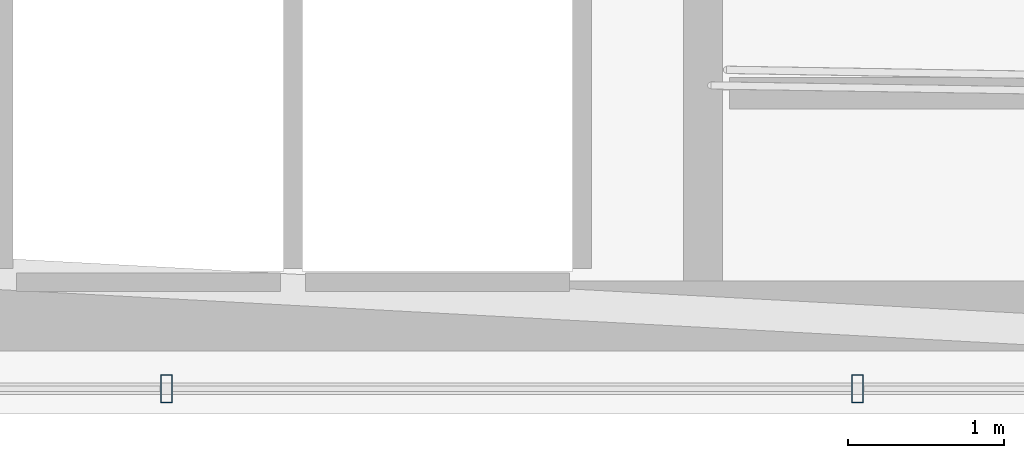
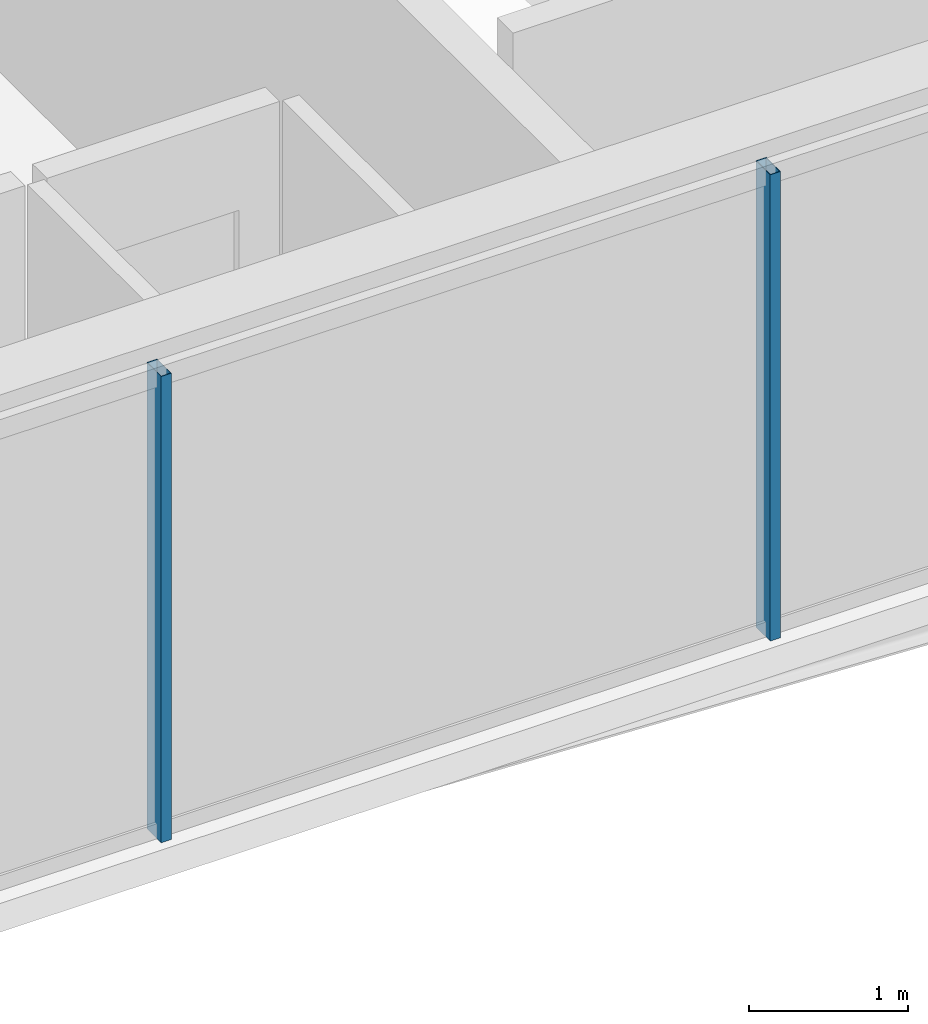
# One storey, part 6 of 32: 2 members, 1 element without a shape of its own.
"""IFC4 building model written with IfcOpenShell, lengths in metres."""

from ifc_helpers import new_model, si_unit, direction, frame, origin, origin_2d, place, context, subcontext, project, spatial, hollow_rectangle, extrude, material, layer, layer_set, material_profile, profile_set, type_object, element, aggregate, save


model = new_model("IFC4")

# Units and contexts
model_context = context("Model", 3, precision=1e-05, world=origin(), true_north=direction((0.0, 1.0)))
body_context = subcontext(model_context, "Body", "Model", "MODEL_VIEW")
ifc_project = project(units=[si_unit("LENGTHUNIT", "METRE"), si_unit("AREAUNIT", "SQUARE_METRE"), si_unit("VOLUMEUNIT", "CUBIC_METRE"), si_unit("PLANEANGLEUNIT", "RADIAN"), si_unit("MASSUNIT", "GRAM", prefix="KILO")], contexts=[model_context])

# Site, building, storey
site_placement = place(None, origin())
site = spatial("IfcSite", under=ifc_project, at=site_placement, CompositionType="ELEMENT")
building_placement = place(site_placement, origin())
building = spatial("IfcBuilding", under=site, at=building_placement, Name="Ndaravel Arena Tower", CompositionType="ELEMENT")
storey_placement = place(building_placement, frame((0.0, 0.0, 51.199951171875)))
storey = spatial("IfcBuildingStorey", under=building, at=storey_placement, Name="L10", CompositionType="ELEMENT", Elevation=51.199951171875)

# Curtain wall, members
ifc_material_1 = material(Name="Aluminium", Category="aluminium")
ifc_layer = layer(ifc_material_1, 0.179931640625)
ifc_layer_set = layer_set([ifc_layer], Name="Aluminium")
curtain_wall_type = type_object("IfcCurtainWallType", Name="CW-SYS-03", PredefinedType="NOTDEFINED", material=ifc_layer_set)
curtain_wall_placement = place(storey_placement, origin())
curtain_wall = element("IfcCurtainWall", 1, at=curtain_wall_placement, inside=storey, type_object=curtain_wall_type, Name="L10 Faceted Crystal Curtain Wall CW-L10-E01", PredefinedType="NOTDEFINED")
ifc_material_2 = material(Name="Aluminium", Category="aluminium")
ifc_material_profile = material_profile(ifc_material_2, hollow_rectangle(XDim=0.074951171875, YDim=0.179931640625, WallThickness=0.00390625, at=origin_2d()), Name="CW MULLION 75x180x4")
ifc_profile_set = profile_set([ifc_material_profile], Name="Aluminium")
member_type = type_object("IfcMemberType", Name="MEM-CW-MUL180", PredefinedType="MULLION", material=ifc_profile_set)
member_1_placement = place(storey_placement, frame((35.36572265625, 5.159912109375, 0.0), z_axis=(0.0, 0.0, 1.0), x_axis=(1.0, 0.0, 0.0)))
member_1 = element("IfcMember", 2, at=member_1_placement, type_object=member_type, Name="CW-L10-E01 Mullion 02", PredefinedType="MULLION", context=body_context, shape_type="SweptSolid", body=[
    extrude(hollow_rectangle(XDim=0.074951171875, YDim=0.179931640625, WallThickness=0.00390625, at=origin_2d()), origin(), (0.0, 0.0, 1.0), 3.580078125),
])
member_2_placement = place(storey_placement, frame((39.78857421875, 5.159912109375, 0.0), z_axis=(0.0, 0.0, 1.0), x_axis=(1.0, 0.0, 0.0)))
member_2 = element("IfcMember", 3, at=member_2_placement, type_object=member_type, Name="CW-L10-E01 Mullion 03", PredefinedType="MULLION", context=body_context, shape_type="SweptSolid", body=[
    extrude(hollow_rectangle(XDim=0.074951171875, YDim=0.179931640625, WallThickness=0.00390625, at=origin_2d()), origin(), (0.0, 0.0, 1.0), 3.580078125),
])
aggregate(curtain_wall, [member_1, member_2])

save(model, "model.ifc")
